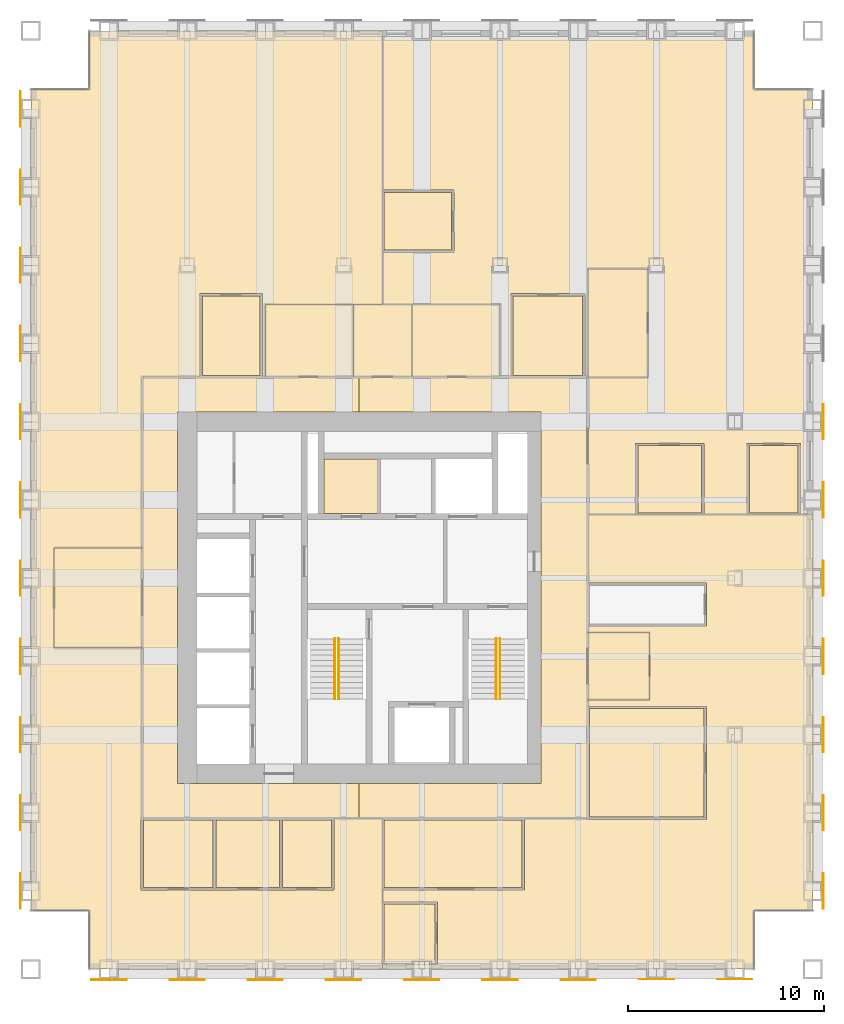
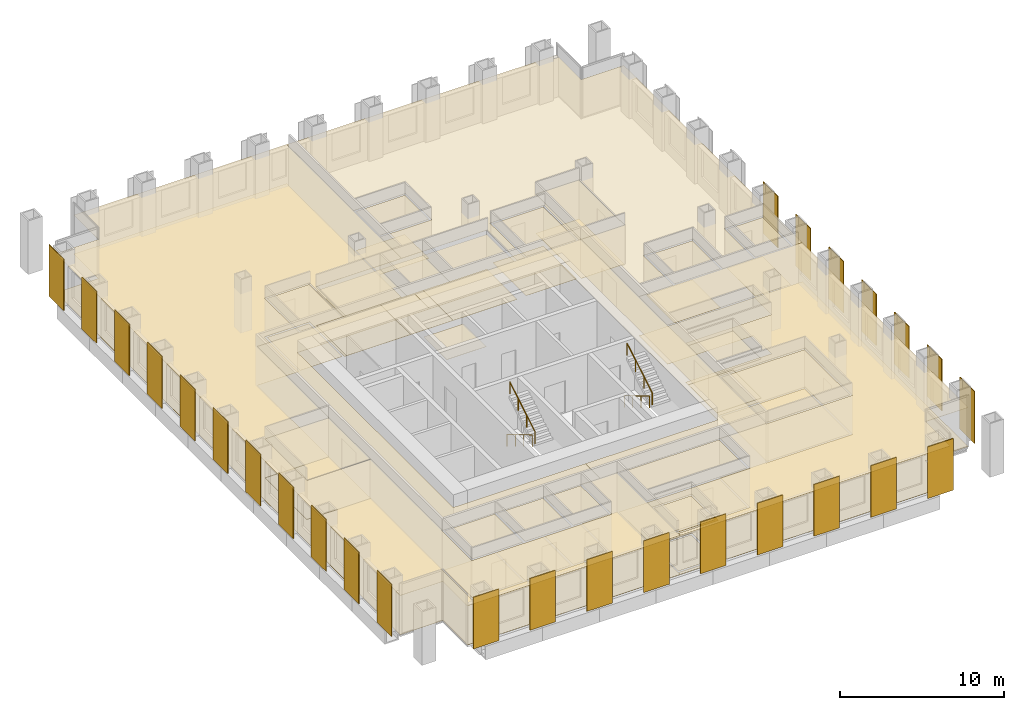
# One storey, part 13 of 14: 42 coverings, 27 shading devices, 4 railings.
"""IFC4 building model written with IfcOpenShell, lengths in metres."""

from ifc_helpers import new_model, si_unit, direction, frame, origin, origin_2d, place, context, subcontext, project, spatial, polyline, rectangle, circle, outline, extrude, material, layer, layer_set, type_object, element, save


model = new_model("IFC4")

# Units and contexts
model_context = context("Model", 3, precision=1e-05, world=origin(), true_north=direction((0.0, 1.0)))
body_context = subcontext(model_context, "Body", "Model", "MODEL_VIEW")
ifc_project = project(units=[si_unit("LENGTHUNIT", "METRE"), si_unit("AREAUNIT", "SQUARE_METRE"), si_unit("VOLUMEUNIT", "CUBIC_METRE"), si_unit("PLANEANGLEUNIT", "RADIAN"), si_unit("MASSUNIT", "GRAM", prefix="KILO")], contexts=[model_context])

# Site, building, storey
site_placement = place(None, origin())
site = spatial("IfcSite", under=ifc_project, at=site_placement, CompositionType="ELEMENT")
building_placement = place(site_placement, origin())
building = spatial("IfcBuilding", under=site, at=building_placement, Name="Rimbunsela Tower", CompositionType="ELEMENT")
storey_placement = place(building_placement, frame((0.0, 0.0, 230.199951171875)))
storey = spatial("IfcBuildingStorey", under=building, at=storey_placement, Name="L55", CompositionType="ELEMENT", Elevation=230.199951171875)

# Coverings
ifc_material_1 = material(Name="Nylon carpet tile", Category="textile")
ifc_layer_1 = layer(ifc_material_1, 0.010009765625)
ifc_layer_set_1 = layer_set([ifc_layer_1], Name="Carpet tile 10")
covering_type_1 = type_object("IfcCoveringType", Name="Carpet tile 10", PredefinedType="FLOORING", material=ifc_layer_set_1)
covering_1_placement = place(storey_placement, origin())
element("IfcCovering", 1, at=covering_1_placement, inside=storey, type_object=covering_type_1, Name="Floor finish Open office", PredefinedType="FLOORING", context=body_context, shape_type="SweptSolid", body=[
    extrude(outline(polyline([(19.449951171875, 12.050048828125), (22.75, 12.050048828125), (22.85009765625, 12.050048828125), (25.5, 12.050048828125), (25.5, 15.699951171875), (27.9990234375, 15.699951171875), (27.9990234375, 8.0), (15.699951171875, 8.0), (13.0, 8.0), (13.0, 11.0), (10.0, 11.0), (10.0, 53.0), (13.0, 53.0), (13.0, 56.0), (15.699951171875, 56.0), (27.9990234375, 56.0), (27.9990234375, 42.0), (22.0, 42.0), (22.0, 38.300048828125), (21.85009765625, 38.300048828125), (21.85009765625, 42.550048828125), (18.64990234375, 42.550048828125), (18.64990234375, 38.300048828125), (15.699951171875, 38.300048828125), (15.699951171875, 29.550048828125), (11.199951171875, 29.550048828125), (11.199951171875, 24.449951171875), (15.699951171875, 24.449951171875), (15.699951171875, 15.75), (15.64990234375, 15.75), (15.64990234375, 12.050048828125), (15.699951171875, 12.050048828125), (19.35009765625, 12.050048828125), (19.449951171875, 12.050048828125)])), origin(), (0.0, 0.0, 1.0), 0.010009765625),
])
covering_2_placement = place(storey_placement, origin())
element("IfcCovering", 2, at=covering_2_placement, inside=storey, type_object=covering_type_1, Name="Floor finish Open office", PredefinedType="FLOORING", context=body_context, shape_type="SweptSolid", body=[
    extrude(outline(polyline([(28.0009765625, 8.25), (30.800048828125, 8.25), (30.800048828125, 11.449951171875), (28.0009765625, 11.449951171875), (28.0009765625, 12.050048828125), (35.2509765625, 12.050048828125), (35.2509765625, 15.699951171875), (38.449951171875, 15.699951171875), (38.449951171875, 15.64990234375), (38.5, 15.64990234375), (44.550048828125, 15.64990234375), (44.550048828125, 21.448974609375), (38.5, 21.448974609375), (38.5, 21.77392578125), (41.64990234375, 21.77392578125), (41.64990234375, 25.22412109375), (38.5, 25.22412109375), (38.5, 25.549072265625), (44.550048828125, 25.549072265625), (44.550048828125, 27.7490234375), (38.5, 27.7490234375), (38.5, 31.2490234375), (50.0, 31.2490234375), (50.0, 11.0), (47.0, 11.0), (47.0, 8.0), (38.5, 8.0), (28.0009765625, 8.0), (28.0009765625, 8.25)])), origin(), (0.0, 0.0, 1.0), 0.010009765625),
])
covering_3_placement = place(storey_placement, origin())
element("IfcCovering", 3, at=covering_3_placement, inside=storey, type_object=covering_type_1, Name="Floor finish Reception", PredefinedType="FLOORING", context=body_context, shape_type="SweptSolid", body=[
    extrude(outline(polyline([(15.699951171875, 24.449951171875), (15.699951171875, 29.550048828125), (11.199951171875, 29.550048828125), (11.199951171875, 24.449951171875), (15.699951171875, 24.449951171875)])), origin(), (0.0, 0.0, 1.0), 0.010009765625),
])
covering_4_placement = place(storey_placement, origin())
element("IfcCovering", 4, at=covering_4_placement, inside=storey, type_object=covering_type_1, Name="Floor finish Reception", PredefinedType="FLOORING", context=body_context, shape_type="SweptSolid", body=[
    extrude(outline(polyline([(41.64990234375, 21.77392578125), (41.64990234375, 25.22412109375), (38.5, 25.22412109375), (38.5, 21.77392578125), (41.64990234375, 21.77392578125)])), origin(), (0.0, 0.0, 1.0), 0.010009765625),
])
covering_5_placement = place(storey_placement, origin())
element("IfcCovering", 5, at=covering_5_placement, inside=storey, type_object=covering_type_1, Name="Floor finish Reception", PredefinedType="FLOORING", context=body_context, shape_type="SweptSolid", body=[
    extrude(outline(polyline([(41.550048828125, 38.27587890625), (41.550048828125, 43.825927734375), (38.5, 43.825927734375), (38.5, 38.27587890625), (41.550048828125, 38.27587890625)])), origin(), (0.0, 0.0, 1.0), 0.010009765625),
])
covering_6_placement = place(storey_placement, origin())
element("IfcCovering", 6, at=covering_6_placement, inside=storey, type_object=covering_type_1, Name="Floor finish Meeting room", PredefinedType="FLOORING", context=body_context, shape_type="SweptSolid", body=[
    extrude(outline(polyline([(19.324951171875, 12.175048828125), (19.324951171875, 15.625), (15.77490234375, 15.625), (15.77490234375, 12.175048828125), (19.324951171875, 12.175048828125)])), origin(), (0.0, 0.0, 1.0), 0.010009765625),
])
covering_7_placement = place(storey_placement, origin())
element("IfcCovering", 7, at=covering_7_placement, inside=storey, type_object=covering_type_1, Name="Floor finish Pantry", PredefinedType="FLOORING", context=body_context, shape_type="SweptSolid", body=[
    extrude(outline(polyline([(22.72509765625, 12.175048828125), (22.72509765625, 15.625), (19.47509765625, 15.625), (19.47509765625, 12.175048828125), (22.72509765625, 12.175048828125)])), origin(), (0.0, 0.0, 1.0), 0.010009765625),
])
covering_8_placement = place(storey_placement, origin())
element("IfcCovering", 8, at=covering_8_placement, inside=storey, type_object=covering_type_1, Name="Floor finish Print and copy room", PredefinedType="FLOORING", context=body_context, shape_type="SweptSolid", body=[
    extrude(outline(polyline([(25.375, 12.175048828125), (25.375, 15.625), (22.875, 15.625), (22.875, 12.175048828125), (25.375, 12.175048828125)])), origin(), (0.0, 0.0, 1.0), 0.010009765625),
])
covering_9_placement = place(storey_placement, origin())
element("IfcCovering", 9, at=covering_9_placement, inside=storey, type_object=covering_type_1, Name="Floor finish Boardroom", PredefinedType="FLOORING", context=body_context, shape_type="SweptSolid", body=[
    extrude(outline(polyline([(35.1259765625, 12.175048828125), (35.1259765625, 15.625), (28.075927734375, 15.625), (28.075927734375, 12.175048828125), (35.1259765625, 12.175048828125)])), origin(), (0.0, 0.0, 1.0), 0.010009765625),
])
covering_10_placement = place(storey_placement, origin())
element("IfcCovering", 10, at=covering_10_placement, inside=storey, type_object=covering_type_1, Name="Floor finish Pantry", PredefinedType="FLOORING", context=body_context, shape_type="SweptSolid", body=[
    extrude(outline(polyline([(44.425048828125, 15.77490234375), (44.425048828125, 21.323974609375), (38.574951171875, 21.323974609375), (38.574951171875, 15.77490234375), (44.425048828125, 15.77490234375)])), origin(), (0.0, 0.0, 1.0), 0.010009765625),
])
covering_11_placement = place(storey_placement, origin())
element("IfcCovering", 11, at=covering_11_placement, inside=storey, type_object=covering_type_1, Name="Floor finish Office", PredefinedType="FLOORING", context=body_context, shape_type="SweptSolid", body=[
    extrude(outline(polyline([(21.72509765625, 38.375), (21.72509765625, 42.425048828125), (18.77490234375, 42.425048828125), (18.77490234375, 38.375), (21.72509765625, 38.375)])), origin(), (0.0, 0.0, 1.0), 0.010009765625),
])
covering_12_placement = place(storey_placement, origin())
element("IfcCovering", 12, at=covering_12_placement, inside=storey, type_object=covering_type_1, Name="Floor finish Office", PredefinedType="FLOORING", context=body_context, shape_type="SweptSolid", body=[
    extrude(outline(polyline([(30.675048828125, 8.375), (30.675048828125, 11.324951171875), (28.074951171875, 11.324951171875), (28.074951171875, 8.375), (30.675048828125, 8.375)])), origin(), (0.0, 0.0, 1.0), 0.010009765625),
])
covering_13_placement = place(storey_placement, origin())
element("IfcCovering", 13, at=covering_13_placement, inside=storey, type_object=covering_type_1, Name="Floor finish Meeting room", PredefinedType="FLOORING", context=body_context, shape_type="SweptSolid", body=[
    extrude(outline(polyline([(38.22509765625, 38.375), (38.22509765625, 42.425048828125), (34.675048828125, 42.425048828125), (34.675048828125, 38.375), (38.22509765625, 38.375)])), origin(), (0.0, 0.0, 1.0), 0.010009765625),
])
covering_14_placement = place(storey_placement, origin())
element("IfcCovering", 14, at=covering_14_placement, inside=storey, type_object=covering_type_1, Name="Floor finish Pantry", PredefinedType="FLOORING", context=body_context, shape_type="SweptSolid", body=[
    extrude(outline(polyline([(44.300048828125, 31.324951171875), (44.300048828125, 34.77490234375), (41.050048828125, 34.77490234375), (41.050048828125, 31.324951171875), (44.300048828125, 31.324951171875)])), origin(), (0.0, 0.0, 1.0), 0.010009765625),
])
covering_15_placement = place(storey_placement, origin())
element("IfcCovering", 15, at=covering_15_placement, inside=storey, type_object=covering_type_1, Name="Floor finish Print and copy room", PredefinedType="FLOORING", context=body_context, shape_type="SweptSolid", body=[
    extrude(outline(polyline([(49.25, 31.324951171875), (49.25, 34.77490234375), (46.75, 34.77490234375), (46.75, 31.324951171875), (49.25, 31.324951171875)])), origin(), (0.0, 0.0, 1.0), 0.010009765625),
])
covering_16_placement = place(storey_placement, origin())
element("IfcCovering", 16, at=covering_16_placement, inside=storey, type_object=covering_type_1, Name="Floor finish Office", PredefinedType="FLOORING", context=body_context, shape_type="SweptSolid", body=[
    extrude(outline(polyline([(31.52490234375, 44.77490234375), (31.52490234375, 47.72509765625), (28.074951171875, 47.72509765625), (28.074951171875, 44.77490234375), (31.52490234375, 44.77490234375)])), origin(), (0.0, 0.0, 1.0), 0.010009765625),
])
ifc_material_2 = material(Name="Mineral fibre ceiling tile", Category="gypsum")
ifc_layer_2 = layer(ifc_material_2, 0.02001953125)
ifc_layer_set_2 = layer_set([ifc_layer_2], Name="Ceiling 600 grid")
covering_type_2 = type_object("IfcCoveringType", Name="Ceiling 600 grid", PredefinedType="CEILING", material=ifc_layer_set_2)
covering_17_placement = place(storey_placement, frame((0.0, 0.0, 2.900146484375)))
element("IfcCovering", 17, at=covering_17_placement, inside=storey, type_object=covering_type_2, Name="Ceiling IT room", PredefinedType="CEILING", context=body_context, shape_type="SweptSolid", body=[
    extrude(outline(polyline([(27.800048828125, 31.300048828125), (27.800048828125, 34.10009765625), (25.0, 34.10009765625), (25.0, 31.300048828125), (27.800048828125, 31.300048828125)])), origin(), (0.0, 0.0, 1.0), 0.02001953125),
])
covering_18_placement = place(storey_placement, frame((0.0, 0.0, 2.900146484375)))
element("IfcCovering", 18, at=covering_18_placement, inside=storey, type_object=covering_type_2, Name="Ceiling Ring corridor", PredefinedType="CEILING", context=body_context, shape_type="SweptSolid", body=[
    extrude(outline(polyline([(15.699951171875, 38.300048828125), (26.800048828125, 38.300048828125), (26.800048828125, 36.5), (17.5, 36.5), (17.5, 17.5), (26.800048828125, 17.5), (26.800048828125, 15.699951171875), (15.699951171875, 15.699951171875), (15.699951171875, 38.300048828125)])), origin(), (0.0, 0.0, 1.0), 0.02001953125),
])
covering_19_placement = place(storey_placement, frame((0.0, 0.0, 2.900146484375)))
element("IfcCovering", 19, at=covering_19_placement, inside=storey, type_object=covering_type_2, Name="Ceiling Ring corridor", PredefinedType="CEILING", context=body_context, shape_type="SweptSolid", body=[
    extrude(outline(polyline([(38.5, 38.300048828125), (38.5, 15.699951171875), (26.800048828125, 15.699951171875), (26.800048828125, 17.5), (36.10009765625, 17.5), (36.10009765625, 36.5), (26.800048828125, 36.5), (26.800048828125, 38.300048828125), (38.5, 38.300048828125)])), origin(), (0.0, 0.0, 1.0), 0.02001953125),
])
covering_20_placement = place(storey_placement, frame((0.0, 0.0, 2.900146484375)))
element("IfcCovering", 20, at=covering_20_placement, inside=storey, type_object=covering_type_2, Name="Ceiling Open office", PredefinedType="CEILING", context=body_context, shape_type="SweptSolid", body=[
    extrude(outline(polyline([(19.449951171875, 12.050048828125), (22.75, 12.050048828125), (22.85009765625, 12.050048828125), (25.5, 12.050048828125), (25.5, 15.699951171875), (27.9990234375, 15.699951171875), (27.9990234375, 8.0), (15.699951171875, 8.0), (13.0, 8.0), (13.0, 11.0), (10.0, 11.0), (10.0, 53.0), (13.0, 53.0), (13.0, 56.0), (15.699951171875, 56.0), (27.9990234375, 56.0), (27.9990234375, 42.0), (22.0, 42.0), (22.0, 38.300048828125), (21.85009765625, 38.300048828125), (21.85009765625, 42.550048828125), (18.64990234375, 42.550048828125), (18.64990234375, 38.300048828125), (15.699951171875, 38.300048828125), (15.699951171875, 29.550048828125), (11.199951171875, 29.550048828125), (11.199951171875, 24.449951171875), (15.699951171875, 24.449951171875), (15.699951171875, 15.75), (15.64990234375, 15.75), (15.64990234375, 12.050048828125), (15.699951171875, 12.050048828125), (19.35009765625, 12.050048828125), (19.449951171875, 12.050048828125)])), origin(), (0.0, 0.0, 1.0), 0.02001953125),
])
covering_21_placement = place(storey_placement, frame((0.0, 0.0, 2.900146484375)))
element("IfcCovering", 21, at=covering_21_placement, inside=storey, type_object=covering_type_2, Name="Ceiling Open office", PredefinedType="CEILING", context=body_context, shape_type="SweptSolid", body=[
    extrude(outline(polyline([(28.0009765625, 8.25), (30.800048828125, 8.25), (30.800048828125, 11.449951171875), (28.0009765625, 11.449951171875), (28.0009765625, 12.050048828125), (35.2509765625, 12.050048828125), (35.2509765625, 15.699951171875), (38.449951171875, 15.699951171875), (38.449951171875, 15.64990234375), (38.5, 15.64990234375), (44.550048828125, 15.64990234375), (44.550048828125, 21.448974609375), (38.5, 21.448974609375), (38.5, 21.77392578125), (41.64990234375, 21.77392578125), (41.64990234375, 25.22412109375), (38.5, 25.22412109375), (38.5, 25.549072265625), (44.550048828125, 25.549072265625), (44.550048828125, 27.7490234375), (38.5, 27.7490234375), (38.5, 31.2490234375), (50.0, 31.2490234375), (50.0, 11.0), (47.0, 11.0), (47.0, 8.0), (38.5, 8.0), (28.0009765625, 8.0), (28.0009765625, 8.25)])), origin(), (0.0, 0.0, 1.0), 0.02001953125),
])
covering_22_placement = place(storey_placement, frame((0.0, 0.0, 2.900146484375)))
element("IfcCovering", 22, at=covering_22_placement, inside=storey, type_object=covering_type_2, Name="Ceiling Open office", PredefinedType="CEILING", context=body_context, shape_type="SweptSolid", body=[
    extrude(outline(polyline([(38.5, 38.300048828125), (38.35009765625, 38.300048828125), (38.35009765625, 42.550048828125), (34.550048828125, 42.550048828125), (34.550048828125, 38.300048828125), (34.0, 38.300048828125), (34.0, 42.0), (28.0009765625, 42.0), (28.0009765625, 44.64990234375), (31.64990234375, 44.64990234375), (31.64990234375, 47.85009765625), (28.0009765625, 47.85009765625), (28.0009765625, 56.0), (38.5, 56.0), (47.0, 56.0), (47.0, 53.0), (50.0, 53.0), (50.0, 31.2509765625), (49.375, 31.2509765625), (49.375, 34.89990234375), (46.625, 34.89990234375), (46.625, 31.2509765625), (44.425048828125, 31.2509765625), (44.425048828125, 34.89990234375), (40.925048828125, 34.89990234375), (40.925048828125, 31.2509765625), (38.5, 31.2509765625), (38.5, 38.27587890625), (41.550048828125, 38.27587890625), (41.550048828125, 43.825927734375), (38.5, 43.825927734375), (38.5, 38.300048828125)])), origin(), (0.0, 0.0, 1.0), 0.02001953125),
])
covering_23_placement = place(storey_placement, frame((0.0, 0.0, 2.900146484375)))
element("IfcCovering", 23, at=covering_23_placement, inside=storey, type_object=covering_type_2, Name="Ceiling Reception", PredefinedType="CEILING", context=body_context, shape_type="SweptSolid", body=[
    extrude(outline(polyline([(15.699951171875, 24.449951171875), (15.699951171875, 29.550048828125), (11.199951171875, 29.550048828125), (11.199951171875, 24.449951171875), (15.699951171875, 24.449951171875)])), origin(), (0.0, 0.0, 1.0), 0.02001953125),
])
covering_24_placement = place(storey_placement, frame((0.0, 0.0, 2.900146484375)))
element("IfcCovering", 24, at=covering_24_placement, inside=storey, type_object=covering_type_2, Name="Ceiling Reception", PredefinedType="CEILING", context=body_context, shape_type="SweptSolid", body=[
    extrude(outline(polyline([(41.64990234375, 21.77392578125), (41.64990234375, 25.22412109375), (38.5, 25.22412109375), (38.5, 21.77392578125), (41.64990234375, 21.77392578125)])), origin(), (0.0, 0.0, 1.0), 0.02001953125),
])
covering_25_placement = place(storey_placement, frame((0.0, 0.0, 2.900146484375)))
element("IfcCovering", 25, at=covering_25_placement, inside=storey, type_object=covering_type_2, Name="Ceiling Reception", PredefinedType="CEILING", context=body_context, shape_type="SweptSolid", body=[
    extrude(outline(polyline([(41.550048828125, 38.27587890625), (41.550048828125, 43.825927734375), (38.5, 43.825927734375), (38.5, 38.27587890625), (41.550048828125, 38.27587890625)])), origin(), (0.0, 0.0, 1.0), 0.02001953125),
])
covering_26_placement = place(storey_placement, frame((0.0, 0.0, 2.900146484375)))
element("IfcCovering", 26, at=covering_26_placement, inside=storey, type_object=covering_type_2, Name="Ceiling Meeting room", PredefinedType="CEILING", context=body_context, shape_type="SweptSolid", body=[
    extrude(outline(polyline([(19.324951171875, 12.175048828125), (19.324951171875, 15.625), (15.77490234375, 15.625), (15.77490234375, 12.175048828125), (19.324951171875, 12.175048828125)])), origin(), (0.0, 0.0, 1.0), 0.02001953125),
])
covering_27_placement = place(storey_placement, frame((0.0, 0.0, 2.900146484375)))
element("IfcCovering", 27, at=covering_27_placement, inside=storey, type_object=covering_type_2, Name="Ceiling Pantry", PredefinedType="CEILING", context=body_context, shape_type="SweptSolid", body=[
    extrude(outline(polyline([(22.72509765625, 12.175048828125), (22.72509765625, 15.625), (19.47509765625, 15.625), (19.47509765625, 12.175048828125), (22.72509765625, 12.175048828125)])), origin(), (0.0, 0.0, 1.0), 0.02001953125),
])
covering_28_placement = place(storey_placement, frame((0.0, 0.0, 2.900146484375)))
element("IfcCovering", 28, at=covering_28_placement, inside=storey, type_object=covering_type_2, Name="Ceiling Print and copy room", PredefinedType="CEILING", context=body_context, shape_type="SweptSolid", body=[
    extrude(outline(polyline([(25.375, 12.175048828125), (25.375, 15.625), (22.875, 15.625), (22.875, 12.175048828125), (25.375, 12.175048828125)])), origin(), (0.0, 0.0, 1.0), 0.02001953125),
])
covering_29_placement = place(storey_placement, frame((0.0, 0.0, 2.900146484375)))
element("IfcCovering", 29, at=covering_29_placement, inside=storey, type_object=covering_type_2, Name="Ceiling Boardroom", PredefinedType="CEILING", context=body_context, shape_type="SweptSolid", body=[
    extrude(outline(polyline([(35.1259765625, 12.175048828125), (35.1259765625, 15.625), (28.075927734375, 15.625), (28.075927734375, 12.175048828125), (35.1259765625, 12.175048828125)])), origin(), (0.0, 0.0, 1.0), 0.02001953125),
])
covering_30_placement = place(storey_placement, frame((0.0, 0.0, 2.900146484375)))
element("IfcCovering", 30, at=covering_30_placement, inside=storey, type_object=covering_type_2, Name="Ceiling Pantry", PredefinedType="CEILING", context=body_context, shape_type="SweptSolid", body=[
    extrude(outline(polyline([(44.425048828125, 15.77490234375), (44.425048828125, 21.323974609375), (38.574951171875, 21.323974609375), (38.574951171875, 15.77490234375), (44.425048828125, 15.77490234375)])), origin(), (0.0, 0.0, 1.0), 0.02001953125),
])
covering_31_placement = place(storey_placement, frame((0.0, 0.0, 2.900146484375)))
element("IfcCovering", 31, at=covering_31_placement, inside=storey, type_object=covering_type_2, Name="Ceiling Office", PredefinedType="CEILING", context=body_context, shape_type="SweptSolid", body=[
    extrude(outline(polyline([(21.72509765625, 38.375), (21.72509765625, 42.425048828125), (18.77490234375, 42.425048828125), (18.77490234375, 38.375), (21.72509765625, 38.375)])), origin(), (0.0, 0.0, 1.0), 0.02001953125),
])
covering_32_placement = place(storey_placement, frame((0.0, 0.0, 2.900146484375)))
element("IfcCovering", 32, at=covering_32_placement, inside=storey, type_object=covering_type_2, Name="Ceiling Office", PredefinedType="CEILING", context=body_context, shape_type="SweptSolid", body=[
    extrude(outline(polyline([(30.675048828125, 8.375), (30.675048828125, 11.324951171875), (28.074951171875, 11.324951171875), (28.074951171875, 8.375), (30.675048828125, 8.375)])), origin(), (0.0, 0.0, 1.0), 0.02001953125),
])
covering_33_placement = place(storey_placement, frame((0.0, 0.0, 2.900146484375)))
element("IfcCovering", 33, at=covering_33_placement, inside=storey, type_object=covering_type_2, Name="Ceiling Meeting room", PredefinedType="CEILING", context=body_context, shape_type="SweptSolid", body=[
    extrude(outline(polyline([(38.22509765625, 38.375), (38.22509765625, 42.425048828125), (34.675048828125, 42.425048828125), (34.675048828125, 38.375), (38.22509765625, 38.375)])), origin(), (0.0, 0.0, 1.0), 0.02001953125),
])
covering_34_placement = place(storey_placement, frame((0.0, 0.0, 2.900146484375)))
element("IfcCovering", 34, at=covering_34_placement, inside=storey, type_object=covering_type_2, Name="Ceiling Pantry", PredefinedType="CEILING", context=body_context, shape_type="SweptSolid", body=[
    extrude(outline(polyline([(44.300048828125, 31.324951171875), (44.300048828125, 34.77490234375), (41.050048828125, 34.77490234375), (41.050048828125, 31.324951171875), (44.300048828125, 31.324951171875)])), origin(), (0.0, 0.0, 1.0), 0.02001953125),
])
covering_35_placement = place(storey_placement, frame((0.0, 0.0, 2.900146484375)))
element("IfcCovering", 35, at=covering_35_placement, inside=storey, type_object=covering_type_2, Name="Ceiling Print and copy room", PredefinedType="CEILING", context=body_context, shape_type="SweptSolid", body=[
    extrude(outline(polyline([(49.25, 31.324951171875), (49.25, 34.77490234375), (46.75, 34.77490234375), (46.75, 31.324951171875), (49.25, 31.324951171875)])), origin(), (0.0, 0.0, 1.0), 0.02001953125),
])
covering_36_placement = place(storey_placement, frame((0.0, 0.0, 2.900146484375)))
element("IfcCovering", 36, at=covering_36_placement, inside=storey, type_object=covering_type_2, Name="Ceiling Office", PredefinedType="CEILING", context=body_context, shape_type="SweptSolid", body=[
    extrude(outline(polyline([(31.52490234375, 44.77490234375), (31.52490234375, 47.72509765625), (28.074951171875, 47.72509765625), (28.074951171875, 44.77490234375), (31.52490234375, 44.77490234375)])), origin(), (0.0, 0.0, 1.0), 0.02001953125),
])
ifc_material_3 = material(Name="Moisture-resistant plasterboard ceiling", Category="gypsum")
ifc_layer_3 = layer(ifc_material_3, 0.012451171875)
ifc_layer_set_3 = layer_set([ifc_layer_3], Name="Ceiling moisture-resistant board")
covering_type_3 = type_object("IfcCoveringType", Name="Ceiling moisture-resistant board", PredefinedType="CEILING", material=ifc_layer_set_3)
covering_37_placement = place(storey_placement, frame((0.0, 0.0, 2.60009765625)))
element("IfcCovering", 37, at=covering_37_placement, inside=storey, type_object=covering_type_3, Name="Ceiling Female WC", PredefinedType="CEILING", context=body_context, shape_type="SweptSolid", body=[
    extrude(outline(polyline([(26.5, 38.300048828125), (26.5, 42.0), (22.0, 42.0), (22.0, 38.300048828125), (26.5, 38.300048828125)])), origin(), (0.0, 0.0, 1.0), 0.02001953125),
])
covering_38_placement = place(storey_placement, frame((0.0, 0.0, 2.60009765625)))
element("IfcCovering", 38, at=covering_38_placement, inside=storey, type_object=covering_type_3, Name="Ceiling Accessible WC", PredefinedType="CEILING", context=body_context, shape_type="SweptSolid", body=[
    extrude(outline(polyline([(29.5, 38.300048828125), (29.5, 42.0), (26.5, 42.0), (26.5, 38.300048828125), (29.5, 38.300048828125)])), origin(), (0.0, 0.0, 1.0), 0.02001953125),
])
covering_39_placement = place(storey_placement, frame((0.0, 0.0, 2.60009765625)))
element("IfcCovering", 39, at=covering_39_placement, inside=storey, type_object=covering_type_3, Name="Ceiling Male WC", PredefinedType="CEILING", context=body_context, shape_type="SweptSolid", body=[
    extrude(outline(polyline([(34.0, 38.300048828125), (34.0, 42.0), (29.5, 42.0), (29.5, 38.300048828125), (34.0, 38.300048828125)])), origin(), (0.0, 0.0, 1.0), 0.02001953125),
])
ifc_material_4 = material(Name="Porcelain floor tile in adhesive bed", Category="ceramic")
ifc_layer_4 = layer(ifc_material_4, 0.02001953125)
ifc_layer_set_4 = layer_set([ifc_layer_4], Name="Porcelain tile 20")
covering_type_4 = type_object("IfcCoveringType", Name="Porcelain tile 20", PredefinedType="FLOORING", material=ifc_layer_set_4)
covering_40_placement = place(storey_placement, origin())
element("IfcCovering", 40, at=covering_40_placement, inside=storey, type_object=covering_type_4, Name="Floor finish Female WC", PredefinedType="FLOORING", context=body_context, shape_type="SweptSolid", body=[
    extrude(outline(polyline([(26.5, 38.300048828125), (26.5, 42.0), (22.0, 42.0), (22.0, 38.300048828125), (26.5, 38.300048828125)])), origin(), (0.0, 0.0, 1.0), 0.02001953125),
])
covering_41_placement = place(storey_placement, origin())
element("IfcCovering", 41, at=covering_41_placement, inside=storey, type_object=covering_type_4, Name="Floor finish Accessible WC", PredefinedType="FLOORING", context=body_context, shape_type="SweptSolid", body=[
    extrude(outline(polyline([(29.5, 38.300048828125), (29.5, 42.0), (26.5, 42.0), (26.5, 38.300048828125), (29.5, 38.300048828125)])), origin(), (0.0, 0.0, 1.0), 0.02001953125),
])
covering_42_placement = place(storey_placement, origin())
element("IfcCovering", 42, at=covering_42_placement, inside=storey, type_object=covering_type_4, Name="Floor finish Male WC", PredefinedType="FLOORING", context=body_context, shape_type="SweptSolid", body=[
    extrude(outline(polyline([(34.0, 38.300048828125), (34.0, 42.0), (29.5, 42.0), (29.5, 38.300048828125), (34.0, 38.300048828125)])), origin(), (0.0, 0.0, 1.0), 0.02001953125),
])

# Shading devices
ifc_material_5 = material(Name="Perforated aluminium, 35 % open area", Category="aluminium")
ifc_layer_5 = layer(ifc_material_5, 0.050048828125)
ifc_layer_set_5 = layer_set([ifc_layer_5], Name="Solar screen panel 1800")
shading_device_type = type_object("IfcShadingDeviceType", Name="Solar screen panel 1800", PredefinedType="USERDEFINED", material=ifc_layer_set_5)
for number, where, z_axis, x_axis, name in (
    (43, (14.0, 7.47509765625, 0.0), (0.0, 0.0, 1.0), (1.0, 0.0, 0.0), "Solar screen S L55"),
    (44, (18.0, 7.47509765625, 0.0), (0.0, 0.0, 1.0), (1.0, 0.0, 0.0), "Solar screen S L55"),
    (45, (22.0, 7.47509765625, 0.0), (0.0, 0.0, 1.0), (1.0, 0.0, 0.0), "Solar screen S L55"),
    (46, (26.0, 7.47509765625, 0.0), (0.0, 0.0, 1.0), (1.0, 0.0, 0.0), "Solar screen S L55"),
    (47, (30.0, 7.47509765625, 0.0), (0.0, 0.0, 1.0), (1.0, 0.0, 0.0), "Solar screen S L55"),
    (48, (34.0, 7.47509765625, 0.0), (0.0, 0.0, 1.0), (1.0, 0.0, 0.0), "Solar screen S L55"),
    (49, (38.0, 7.47509765625, 0.0), (0.0, 0.0, 1.0), (1.0, 0.0, 0.0), "Solar screen S L55"),
    (50, (42.0, 7.47509765625, 0.0), (0.0, 0.0, 1.0), (1.0, 0.0, 0.0), "Solar screen S L55"),
    (51, (46.0, 7.47509765625, 0.0), (0.0, 0.0, 1.0), (1.0, 0.0, 0.0), "Solar screen S L55"),
    (52, (50.52490234375, 12.0, 0.0), (0.0, 0.0, 1.0), (0.0, 1.0, 0.0), "Solar screen E L55"),
    (53, (50.52490234375, 16.0, 0.0), (0.0, 0.0, 1.0), (0.0, 1.0, 0.0), "Solar screen E L55"),
    (54, (50.52490234375, 20.0, 0.0), (0.0, 0.0, 1.0), (0.0, 1.0, 0.0), "Solar screen E L55"),
    (55, (50.52490234375, 24.0, 0.0), (0.0, 0.0, 1.0), (0.0, 1.0, 0.0), "Solar screen E L55"),
    (56, (50.52490234375, 28.0, 0.0), (0.0, 0.0, 1.0), (0.0, 1.0, 0.0), "Solar screen E L55"),
    (57, (50.52490234375, 32.0, 0.0), (0.0, 0.0, 1.0), (0.0, 1.0, 0.0), "Solar screen E L55"),
    (58, (50.52490234375, 36.0, 0.0), (0.0, 0.0, 1.0), (0.0, 1.0, 0.0), "Solar screen E L55"),
    (59, (9.47509765625, 12.0, 0.0), (0.0, 0.0, 1.0), (0.0, 1.0, 0.0), "Solar screen W L55"),
    (60, (9.47509765625, 16.0, 0.0), (0.0, 0.0, 1.0), (0.0, 1.0, 0.0), "Solar screen W L55"),
    (61, (9.47509765625, 20.0, 0.0), (0.0, 0.0, 1.0), (0.0, 1.0, 0.0), "Solar screen W L55"),
    (62, (9.47509765625, 24.0, 0.0), (0.0, 0.0, 1.0), (0.0, 1.0, 0.0), "Solar screen W L55"),
    (63, (9.47509765625, 28.0, 0.0), (0.0, 0.0, 1.0), (0.0, 1.0, 0.0), "Solar screen W L55"),
    (64, (9.47509765625, 32.0, 0.0), (0.0, 0.0, 1.0), (0.0, 1.0, 0.0), "Solar screen W L55"),
    (65, (9.47509765625, 36.0, 0.0), (0.0, 0.0, 1.0), (0.0, 1.0, 0.0), "Solar screen W L55"),
    (66, (9.47509765625, 40.0, 0.0), (0.0, 0.0, 1.0), (0.0, 1.0, 0.0), "Solar screen W L55"),
    (67, (9.47509765625, 44.0, 0.0), (0.0, 0.0, 1.0), (0.0, 1.0, 0.0), "Solar screen W L55"),
    (68, (9.47509765625, 48.0, 0.0), (0.0, 0.0, 1.0), (0.0, 1.0, 0.0), "Solar screen W L55"),
    (69, (9.47509765625, 52.0, 0.0), (0.0, 0.0, 1.0), (0.0, 1.0, 0.0), "Solar screen W L55"),
):
    element("IfcShadingDevice", number, at=place(storey_placement, frame(where, z_axis=z_axis, x_axis=x_axis)), inside=storey, type_object=shading_device_type, Name=name, ObjectType="SCREEN", PredefinedType="USERDEFINED", context=body_context, shape_type="SweptSolid", body=[
        extrude(rectangle(XDim=1.800048828125, YDim=0.050048828125, at=origin_2d()), origin(), (0.0, 0.0, 1.0), 3.85009765625),
    ])

# Railings
ifc_material_6 = material(Name="Stainless steel tube", Category="steel")
railing_type = type_object("IfcRailingType", Name="Stair handrail 900", PredefinedType="HANDRAIL", material=ifc_material_6)
railing_1_placement = place(storey_placement, frame((25.550048828125, 24.89990234375, 0.166748046875)))
element("IfcRailing", 70, at=railing_1_placement, inside=storey, type_object=railing_type, Name="Handrail ST-A flight 1", PredefinedType="HANDRAIL", context=body_context, shape_type="SweptSolid", body=[
    extrude(circle(Radius=0.02392578125, at=origin_2d()), frame((0.0, 0.0, 0.8759765625), z_axis=(0.0, -0.859290745958, 0.51148745235), x_axis=(1.0, 0.0, 0.0)), (0.0, 0.0, 1.0), 3.584228515625),
    extrude(circle(Radius=0.02099609375, at=origin_2d()), origin(), (0.0, 0.0, 1.0), 0.851806640625),
    extrude(circle(Radius=0.02099609375, at=origin_2d()), frame((0.0, -1.026611328125, 0.611083984375)), (0.0, 0.0, 1.0), 0.851806640625),
    extrude(circle(Radius=0.02099609375, at=origin_2d()), frame((0.0, -2.05322265625, 1.22216796875)), (0.0, 0.0, 1.0), 0.851806640625),
    extrude(circle(Radius=0.02099609375, at=origin_2d()), frame((0.0, -3.079833984375, 1.833251953125)), (0.0, 0.0, 1.0), 0.851806640625),
])
railing_2_placement = place(storey_placement, frame((25.75, 21.820068359375, 2.166748046875)))
element("IfcRailing", 71, at=railing_2_placement, inside=storey, type_object=railing_type, Name="Handrail ST-A flight 2", PredefinedType="HANDRAIL", context=body_context, shape_type="SweptSolid", body=[
    extrude(circle(Radius=0.02392578125, at=origin_2d()), frame((0.0, 0.0, 0.8759765625), z_axis=(0.0, 0.859290745958, 0.51148745235), x_axis=(-1.0, 0.0, 0.0)), (0.0, 0.0, 1.0), 3.584228515625),
    extrude(circle(Radius=0.02099609375, at=origin_2d()), origin(), (0.0, 0.0, 1.0), 0.851806640625),
    extrude(circle(Radius=0.02099609375, at=origin_2d()), frame((0.0, 1.026611328125, 0.611083984375)), (0.0, 0.0, 1.0), 0.851806640625),
    extrude(circle(Radius=0.02099609375, at=origin_2d()), frame((0.0, 2.05322265625, 1.22216796875)), (0.0, 0.0, 1.0), 0.851806640625),
    extrude(circle(Radius=0.02099609375, at=origin_2d()), frame((0.0, 3.079833984375, 1.833251953125)), (0.0, 0.0, 1.0), 0.851806640625),
])
railing_3_placement = place(storey_placement, frame((33.800048828125, 24.89990234375, 0.166748046875)))
element("IfcRailing", 72, at=railing_3_placement, inside=storey, type_object=railing_type, Name="Handrail ST-B flight 1", PredefinedType="HANDRAIL", context=body_context, shape_type="SweptSolid", body=[
    extrude(circle(Radius=0.02392578125, at=origin_2d()), frame((0.0, 0.0, 0.8759765625), z_axis=(0.0, -0.859290745958, 0.51148745235), x_axis=(1.0, 0.0, 0.0)), (0.0, 0.0, 1.0), 3.584228515625),
    extrude(circle(Radius=0.02099609375, at=origin_2d()), origin(), (0.0, 0.0, 1.0), 0.851806640625),
    extrude(circle(Radius=0.02099609375, at=origin_2d()), frame((0.0, -1.026611328125, 0.611083984375)), (0.0, 0.0, 1.0), 0.851806640625),
    extrude(circle(Radius=0.02099609375, at=origin_2d()), frame((0.0, -2.05322265625, 1.22216796875)), (0.0, 0.0, 1.0), 0.851806640625),
    extrude(circle(Radius=0.02099609375, at=origin_2d()), frame((0.0, -3.079833984375, 1.833251953125)), (0.0, 0.0, 1.0), 0.851806640625),
])
railing_4_placement = place(storey_placement, frame((34.0, 21.820068359375, 2.166748046875)))
element("IfcRailing", 73, at=railing_4_placement, inside=storey, type_object=railing_type, Name="Handrail ST-B flight 2", PredefinedType="HANDRAIL", context=body_context, shape_type="SweptSolid", body=[
    extrude(circle(Radius=0.02392578125, at=origin_2d()), frame((0.0, 0.0, 0.8759765625), z_axis=(0.0, 0.859290745958, 0.51148745235), x_axis=(-1.0, 0.0, 0.0)), (0.0, 0.0, 1.0), 3.584228515625),
    extrude(circle(Radius=0.02099609375, at=origin_2d()), origin(), (0.0, 0.0, 1.0), 0.851806640625),
    extrude(circle(Radius=0.02099609375, at=origin_2d()), frame((0.0, 1.026611328125, 0.611083984375)), (0.0, 0.0, 1.0), 0.851806640625),
    extrude(circle(Radius=0.02099609375, at=origin_2d()), frame((0.0, 2.05322265625, 1.22216796875)), (0.0, 0.0, 1.0), 0.851806640625),
    extrude(circle(Radius=0.02099609375, at=origin_2d()), frame((0.0, 3.079833984375, 1.833251953125)), (0.0, 0.0, 1.0), 0.851806640625),
])

save(model, "model.ifc")
